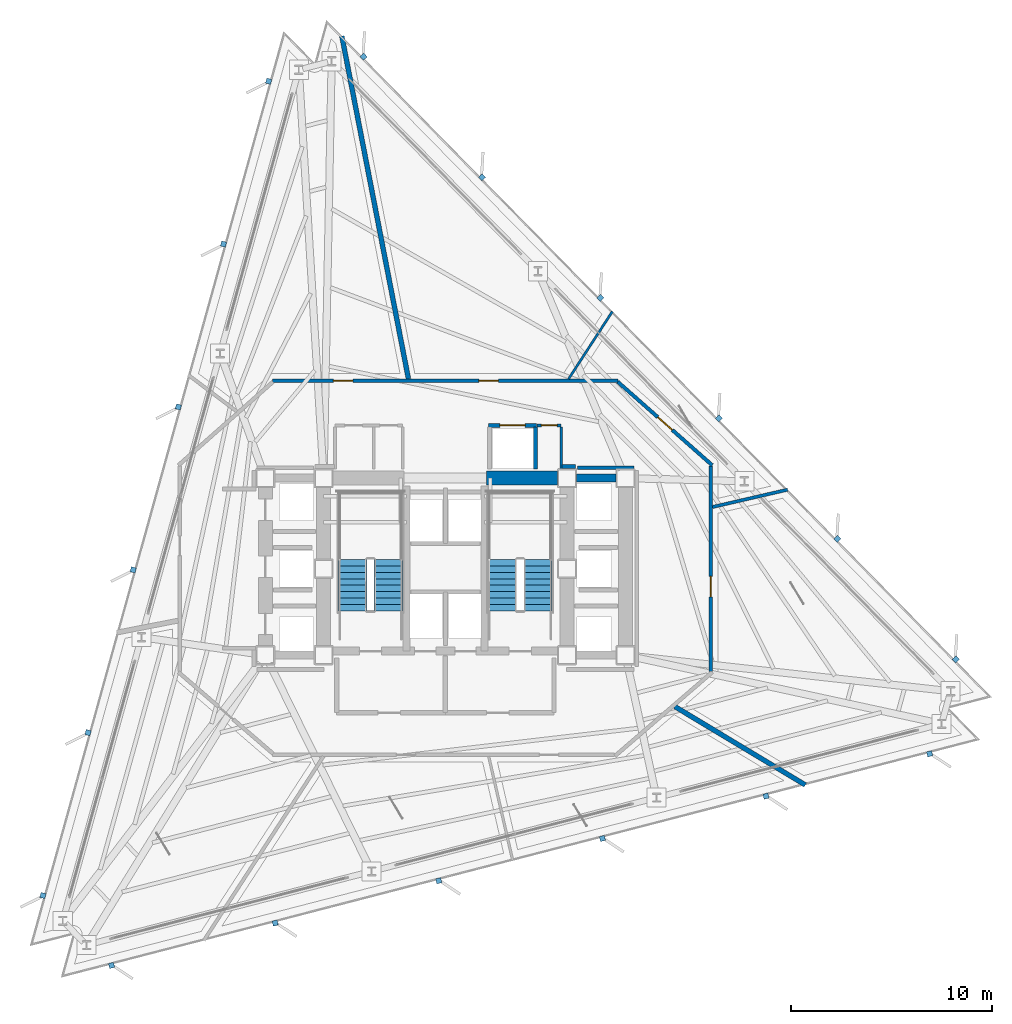
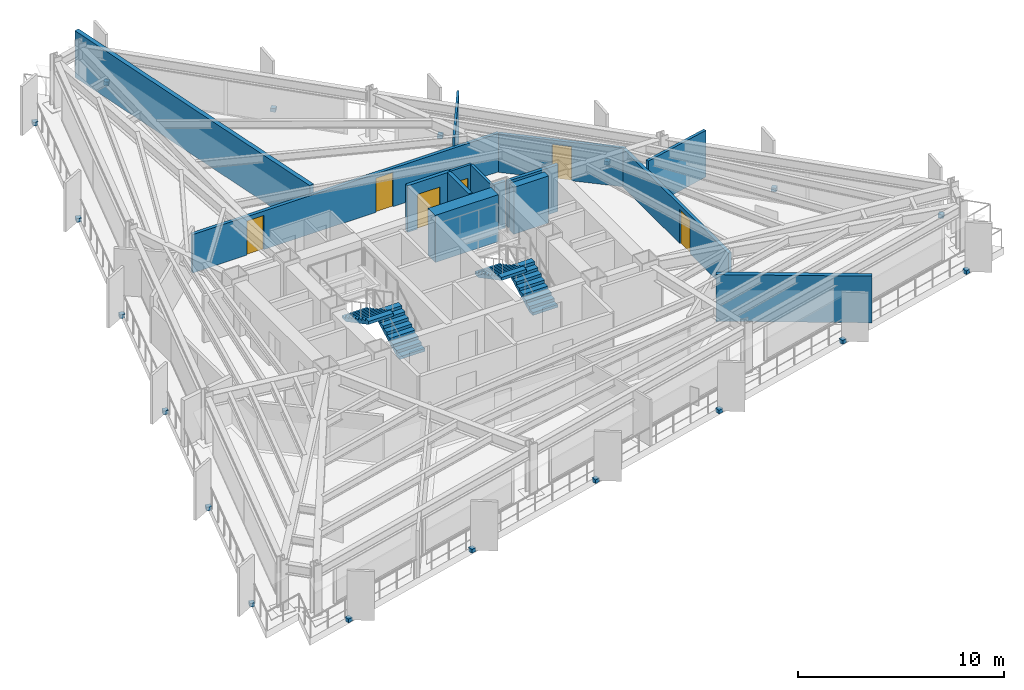
# One storey, part 8 of 11: 18 discrete accessories, 15 walls, 6 doors, 4 stair flights, 6 openings, 2 elements without a shape of their own.
"""IFC4 building model written with IfcOpenShell, lengths in metres."""

from ifc_helpers import new_model, si_unit, direction, frame, frame_2d, origin, origin_2d, place, context, subcontext, project, spatial, polyline, rectangle, outline, extrude, material, layer, layer_set, type_object, element, fill, aggregate, save


model = new_model("IFC4")

# Units and contexts
model_context = context("Model", 3, precision=1e-05, world=origin(), true_north=direction((0.0, 1.0)))
body_context = subcontext(model_context, "Body", "Model", "MODEL_VIEW")
ifc_project = project(units=[si_unit("LENGTHUNIT", "METRE"), si_unit("AREAUNIT", "SQUARE_METRE"), si_unit("VOLUMEUNIT", "CUBIC_METRE"), si_unit("PLANEANGLEUNIT", "RADIAN"), si_unit("MASSUNIT", "GRAM", prefix="KILO")], contexts=[model_context])

# Site, building, storey
site_placement = place(None, origin())
site = spatial("IfcSite", under=ifc_project, at=site_placement, CompositionType="ELEMENT")
building_placement = place(site_placement, origin())
building = spatial("IfcBuilding", under=site, at=building_placement, Name="Rocaltana Carrier Exchange", CompositionType="ELEMENT")
storey_placement = place(building_placement, frame((0.0, 0.0, 76.47998046875)))
storey = spatial("IfcBuildingStorey", under=building, at=storey_placement, Name="L23", CompositionType="ELEMENT", Elevation=76.47998046875)

# Walls
ifc_material_1 = material(Name="Double Acoustic Gypsum Partition", Category="gypsum")
ifc_layer_1 = layer(ifc_material_1, 0.159912109375)
ifc_layer_set_1 = layer_set([ifc_layer_1], Name="Double Acoustic Gypsum Partition")
wall_type_1 = type_object("IfcWallType", Name="Acoustic Studio Partition 160 EI60", PredefinedType="PARTITIONING", material=ifc_layer_set_1)
wall_1_placement = place(storey_placement, frame((13.280029296875, 3.06591796875, 0.0), z_axis=(0.0, 0.0, 1.0), x_axis=(0.974371849336, 0.224943324464, 0.0)))
element("IfcWall", 1, at=wall_1_placement, inside=storey, type_object=wall_type_1, Name="L23 Suite Divider Wall D5", PredefinedType="PARTITIONING", context=body_context, shape_type="SweptSolid", body=[
    extrude(rectangle(XDim=3.8291015625, YDim=0.159912109375, at=frame_2d((1.91455078125, 0.0))), origin(), (0.0, 0.0, 1.0), 2.762939453125),
])
ifc_material_2 = material(Name="Concrete C50/60", Category="concrete")
ifc_layer_2 = layer(ifc_material_2, 0.39990234375)
ifc_layer_set_2 = layer_set([ifc_layer_2], Name="Concrete C50/60")
wall_type_2 = type_object("IfcWallType", Name="Core Internal Shear Wall 400", PredefinedType="SHEAR", material=ifc_layer_set_2)
wall_2_placement = place(storey_placement, frame((6.52490234375, 4.5, 0.0), z_axis=(0.0, 0.0, 1.0), x_axis=(1.0, 0.0, 0.0)))
element("IfcWall", 2, at=wall_2_placement, inside=storey, type_object=wall_type_2, Name="L23 Core Shear Wall CW-EWN", PredefinedType="SHEAR", context=body_context, shape_type="SweptSolid", body=[
    extrude(rectangle(XDim=1.9501953125, YDim=0.39990234375, at=frame_2d((0.97509765625, 0.0))), origin(), (0.0, 0.0, 1.0), 2.7880859375),
])
ifc_material_3 = material(Name="Concrete C60/75", Category="concrete")
ifc_layer_3 = layer(ifc_material_3, 0.699951171875)
ifc_layer_set_3 = layer_set([ifc_layer_3], Name="Concrete C60/75")
wall_type_3 = type_object("IfcWallType", Name="Core Shear Wall 700", PredefinedType="SHEAR", material=ifc_layer_set_3)
wall_3_placement = place(storey_placement, frame((2.050048828125, 4.5, 0.0), z_axis=(0.0, 0.0, 1.0), x_axis=(1.0, 0.0, 0.0)))
element("IfcWall", 3, at=wall_3_placement, inside=storey, type_object=wall_type_3, Name="L23 Core Shear Wall CW-N2", PredefinedType="SHEAR", context=body_context, shape_type="SweptSolid", body=[
    extrude(rectangle(XDim=3.52490234375, YDim=0.699951171875, at=frame_2d((1.762451171875, 0.0))), origin(), (0.0, 0.0, 1.0), 2.7880859375),
])

# Wall, openings, doors
ifc_material_4 = material(Name="Gypsum & Steel Stud Partition", Category="steel")
ifc_layer_4 = layer(ifc_material_4, 0.179931640625)
ifc_layer_set_4 = layer_set([ifc_layer_4], Name="Gypsum & Steel Stud Partition")
wall_type_4 = type_object("IfcWallType", Name="Corridor Fire Partition 180 EI60", PredefinedType="PARTITIONING", material=ifc_layer_set_4)
wall_4_placement = place(storey_placement, frame((-8.590087890625, 9.35009765625, 0.0), z_axis=(0.0, 0.0, 1.0), x_axis=(1.0, 0.0, 0.0)))
wall_4 = element("IfcWall", 4, at=wall_4_placement, inside=storey, type_object=wall_type_4, Name="L23 Corridor Partition 1", PredefinedType="PARTITIONING", context=body_context, shape_type="SweptSolid", body=[
    extrude(rectangle(XDim=17.18017578125, YDim=0.179931640625, at=frame_2d((8.590087890625, 0.0))), origin(), (0.0, 0.0, 1.0), 2.277099609375),
])
opening_1_placement = place(wall_4_placement, frame((10.260986328125, 0.0, 0.0)))
opening_1 = element("IfcOpeningElement", 5, at=opening_1_placement, cuts=wall_4, Name="Opening D-RM098", PredefinedType="OPENING", context=body_context, shape_type="SweptSolid", body=[
    extrude(rectangle(XDim=0.9599609375, YDim=2.02001953125, at=frame_2d((0.47998046875, 1.010009765625))), frame((0.0, 0.099853515625, 0.0), z_axis=(0.0, -1.0, 0.0), x_axis=(1.0, 0.0, 0.0)), (0.0, 0.0, 1.0), 0.199951171875),
])
opening_2_placement = place(wall_4_placement, frame((3.02783203125, 0.0, 0.0)))
opening_2 = element("IfcOpeningElement", 6, at=opening_2_placement, cuts=wall_4, Name="Opening D-RM098", PredefinedType="OPENING", context=body_context, shape_type="SweptSolid", body=[
    extrude(rectangle(XDim=0.9599609375, YDim=2.02001953125, at=frame_2d((0.47998046875, 1.010009765625))), frame((0.0, 0.099853515625, 0.0), z_axis=(0.0, -1.0, 0.0), x_axis=(1.0, 0.0, 0.0)), (0.0, 0.0, 1.0), 0.199951171875),
])
ifc_material_5 = material(Name="Engineered Hardwood Timber", Category="wood")
door_type_1 = type_object("IfcDoorType", Name="Workspace Single Door 960x2020", OperationType="NOTDEFINED", PredefinedType="DOOR", material=ifc_material_5)
door_1_placement = place(opening_1_placement, origin())
door_1 = element("IfcDoor", 7, at=door_1_placement, inside=storey, type_object=door_type_1, Name="L23 Peering Conference Room Entrance Door", OperationType="SINGLE_SWING_RIGHT", OverallHeight=2.02001953125, OverallWidth=0.9599609375, PredefinedType="DOOR", context=body_context, shape_type="SweptSolid", body=[
    extrude(rectangle(XDim=0.9599609375, YDim=2.02001953125, at=frame_2d((0.47998046875, 1.010009765625))), frame((0.0, 0.02490234375, 0.0), z_axis=(0.0, -1.0, 0.0), x_axis=(1.0, 0.0, 0.0)), (0.0, 0.0, 1.0), 0.050048828125),
])
fill(opening_1, door_1)
door_2_placement = place(opening_2_placement, origin())
door_2 = element("IfcDoor", 8, at=door_2_placement, inside=storey, type_object=door_type_1, Name="L23 Quiet Focus Lounge Entrance Door", OperationType="SINGLE_SWING_LEFT", OverallHeight=2.02001953125, OverallWidth=0.9599609375, PredefinedType="DOOR", context=body_context, shape_type="SweptSolid", body=[
    extrude(rectangle(XDim=0.9599609375, YDim=2.02001953125, at=frame_2d((0.47998046875, 1.010009765625))), frame((0.0, 0.02490234375, 0.0), z_axis=(0.0, -1.0, 0.0), x_axis=(1.0, 0.0, 0.0)), (0.0, 0.0, 1.0), 0.050048828125),
])
fill(opening_2, door_2)

# Wall, opening, door
wall_5_placement = place(storey_placement, frame((8.5673828125, 9.290283203125, 0.0), z_axis=(0.0, 0.0, 1.0), x_axis=(0.749626463267, -0.66186113768, 0.0)))
wall_5 = element("IfcWall", 9, at=wall_5_placement, inside=storey, type_object=wall_type_4, Name="L23 Corridor Partition 2", PredefinedType="PARTITIONING", context=body_context, shape_type="SweptSolid", body=[
    extrude(rectangle(XDim=6.27001953125, YDim=0.179931640625, at=frame_2d((3.135009765625, 0.0))), origin(), (0.0, 0.0, 1.0), 2.277099609375),
])
opening_3_placement = place(wall_5_placement, frame((2.655029296875, 0.0, 0.0)))
opening_3 = element("IfcOpeningElement", 10, at=opening_3_placement, cuts=wall_5, Name="Opening D-RM098", PredefinedType="OPENING", context=body_context, shape_type="SweptSolid", body=[
    extrude(rectangle(XDim=0.9599609375, YDim=2.02001953125, at=frame_2d((0.47998046875, 1.010009765625))), frame((0.0, 0.099853515625, 0.0), z_axis=(0.0, -1.0, 0.0), x_axis=(1.0, 0.0, 0.0)), (0.0, 0.0, 1.0), 0.199951171875),
])
door_3_placement = place(opening_3_placement, origin())
door_3 = element("IfcDoor", 11, at=door_3_placement, inside=storey, type_object=door_type_1, Name="L23 Executive Peering Boardroom Entrance Door", OperationType="SINGLE_SWING_LEFT", OverallHeight=2.02001953125, OverallWidth=0.9599609375, PredefinedType="DOOR", context=body_context, shape_type="SweptSolid", body=[
    extrude(rectangle(XDim=0.9599609375, YDim=2.02001953125, at=frame_2d((0.47998046875, 1.010009765625))), frame((0.0, 0.02490234375, 0.0), z_axis=(0.0, -1.0, 0.0), x_axis=(1.0, 0.0, 0.0)), (0.0, 0.0, 1.0), 0.050048828125),
])
fill(opening_3, door_3)

wall_6_placement = place(storey_placement, frame((13.199951171875, 5.110107421875, 0.0), z_axis=(0.0, 0.0, 1.0), x_axis=(0.0, -1.0, 0.0)))
wall_6 = element("IfcWall", 12, at=wall_6_placement, inside=storey, type_object=wall_type_4, Name="L23 Corridor Partition 3", PredefinedType="PARTITIONING", context=body_context, shape_type="SweptSolid", body=[
    extrude(rectangle(XDim=10.22021484375, YDim=0.179931640625, at=frame_2d((5.110107421875, 0.0))), origin(), (0.0, 0.0, 1.0), 2.277099609375),
])
opening_4_placement = place(wall_6_placement, frame((5.492919921875, 0.0, 0.0)))
opening_4 = element("IfcOpeningElement", 13, at=opening_4_placement, cuts=wall_6, Name="Opening D-LB104", PredefinedType="OPENING", context=body_context, shape_type="SweptSolid", body=[
    extrude(rectangle(XDim=1.02001953125, YDim=2.02001953125, at=frame_2d((0.510009765625, 1.010009765625))), frame((0.0, 0.099853515625, 0.0), z_axis=(0.0, -1.0, 0.0), x_axis=(1.0, 0.0, 0.0)), (0.0, 0.0, 1.0), 0.199951171875),
])
ifc_material_6 = material(Name="Powder-Coated Aluminium 6063-T6", Category="aluminium")
door_type_2 = type_object("IfcDoorType", Name="Laboratory Acoustic Door 1020x2020", OperationType="NOTDEFINED", PredefinedType="DOOR", material=ifc_material_6)
door_4_placement = place(opening_4_placement, origin())
door_4 = element("IfcDoor", 14, at=door_4_placement, inside=storey, type_object=door_type_2, Name="L23 Optical Switching Laboratory Entrance Door", OperationType="SINGLE_SWING_RIGHT", OverallHeight=2.02001953125, OverallWidth=1.02001953125, PredefinedType="DOOR", context=body_context, shape_type="SweptSolid", body=[
    extrude(rectangle(XDim=1.02001953125, YDim=2.02001953125, at=frame_2d((0.510009765625, 1.010009765625))), frame((0.0, 0.02490234375, 0.0), z_axis=(0.0, -1.0, 0.0), x_axis=(1.0, 0.0, 0.0)), (0.0, 0.0, 1.0), 0.050048828125),
])
fill(opening_4, door_4)

# Walls
wall_7_placement = place(storey_placement, frame((9.3701171875, 5.010009765625, 0.0), z_axis=(0.0, 0.0, 1.0), x_axis=(-1.0, 0.0, 0.0)))
element("IfcWall", 15, at=wall_7_placement, inside=storey, type_object=wall_type_4, Name="L23 Corridor Partition 18", PredefinedType="PARTITIONING", context=body_context, shape_type="SweptSolid", body=[
    extrude(rectangle(XDim=2.807861328125, YDim=0.179931640625, at=frame_2d((1.40380859375, 0.0))), origin(), (0.0, 0.0, 1.0), 2.762939453125),
])
wall_8_placement = place(storey_placement, frame((6.469970703125, 5.080078125, 0.0), z_axis=(0.0, 0.0, 1.0), x_axis=(-1.0, 0.0, 0.0)))
element("IfcWall", 16, at=wall_8_placement, inside=storey, type_object=wall_type_4, Name="L23 Corridor Partition 19", PredefinedType="PARTITIONING", context=body_context, shape_type="SweptSolid", body=[
    extrude(rectangle(XDim=0.679931640625, YDim=0.179931640625, at=frame_2d((0.33984375, 0.0))), origin(), (0.0, 0.0, 1.0), 2.762939453125),
])
ifc_material_7 = material(Name="Aluminium 6063-T6 & Acoustic Glass", Category="aluminium")
ifc_layer_5 = layer(ifc_material_7, 0.114990234375)
ifc_layer_set_5 = layer_set([ifc_layer_5], Name="Aluminium 6063-T6 & Acoustic Glass")
wall_type_5 = type_object("IfcWallType", Name="Demountable Glazed Lab Partition 115", PredefinedType="MOVABLE", material=ifc_layer_set_5)
wall_9_placement = place(storey_placement, frame((6.123779296875, 9.429931640625, 0.0), z_axis=(0.0, 0.0, 1.0), x_axis=(0.544653909872, 0.838660907912, 0.0)))
element("IfcWall", 17, at=wall_9_placement, inside=storey, type_object=wall_type_5, Name="L23 Suite Divider Wall D6", PredefinedType="MOVABLE", context=body_context, shape_type="SweptSolid", body=[
    extrude(rectangle(XDim=4.00341796875, YDim=0.114990234375, at=frame_2d((2.001708984375, 0.0))), origin(), (0.0, 0.0, 1.0), 2.762939453125),
])
ifc_material_8 = material(Name="Acoustic Calcium Silicate Partition", Category="gypsum")
ifc_layer_6 = layer(ifc_material_8, 0.239990234375)
ifc_layer_set_6 = layer_set([ifc_layer_6], Name="Acoustic Calcium Silicate Partition")
wall_type_6 = type_object("IfcWallType", Name="Heavy Lab Partition 240 EI90", PredefinedType="PARTITIONING", material=ifc_layer_set_6)
wall_10_placement = place(storey_placement, frame((11.40478515625, -6.8525390625, 0.0), z_axis=(0.0, 0.0, 1.0), x_axis=(0.857165278127, -0.515041441025, 0.0)))
element("IfcWall", 18, at=wall_10_placement, inside=storey, type_object=wall_type_6, Name="L23 Suite Divider Wall D4", PredefinedType="PARTITIONING", context=body_context, shape_type="SweptSolid", body=[
    extrude(rectangle(XDim=7.56494140625, YDim=0.239990234375, at=frame_2d((3.782470703125, 0.0))), origin(), (0.0, 0.0, 1.0), 2.762939453125),
])
wall_11_placement = place(storey_placement, frame((-1.8330078125, 9.429931640625, 0.0), z_axis=(0.0, 0.0, 1.0), x_axis=(-0.190802669454, 0.981628413061, 0.0)))
element("IfcWall", 19, at=wall_11_placement, inside=storey, type_object=wall_type_6, Name="L23 Suite Divider Wall D7", PredefinedType="PARTITIONING", context=body_context, shape_type="SweptSolid", body=[
    extrude(rectangle(XDim=17.363525390625, YDim=0.239990234375, at=frame_2d((8.681640625, 0.0))), origin(), (0.0, 0.0, 1.0), 2.762939453125),
])
ifc_material_9 = material(Name="Reinforced Concrete Block C35/45", Category="concrete")
ifc_layer_7 = layer(ifc_material_9, 0.199951171875)
ifc_layer_set_7 = layer_set([ifc_layer_7], Name="Reinforced Concrete Block C35/45")
wall_type_7 = type_object("IfcWallType", Name="Lift Hoistway Enclosure Wall 200 EI120", PredefinedType="PARTITIONING", material=ifc_layer_set_7)
wall_12_placement = place(storey_placement, frame((4.47998046875, 4.949951171875, 0.0), z_axis=(0.0, 0.0, 1.0), x_axis=(0.0, 1.0, 0.0)))
element("IfcWall", 20, at=wall_12_placement, inside=storey, type_object=wall_type_7, Name="L23 Goods Lift East Wall", PredefinedType="PARTITIONING", context=body_context, shape_type="SweptSolid", body=[
    extrude(rectangle(XDim=2.10009765625, YDim=0.199951171875, at=frame_2d((1.050048828125, 0.0))), origin(), (0.0, 0.0, 1.0), 2.762939453125),
])

# Wall, opening, door
wall_13_placement = place(storey_placement, frame((2.14990234375, 7.1201171875, 0.0), z_axis=(0.0, 0.0, 1.0), x_axis=(1.0, 0.0, 0.0)))
wall_13 = element("IfcWall", 21, at=wall_13_placement, inside=storey, type_object=wall_type_7, Name="L23 Goods Lift Front Wall", PredefinedType="PARTITIONING", context=body_context, shape_type="SweptSolid", body=[
    extrude(rectangle(XDim=2.380126953125, YDim=0.199951171875, at=frame_2d((1.18994140625, 0.0))), origin(), (0.0, 0.0, 1.0), 2.762939453125),
])
opening_5_placement = place(wall_13_placement, frame((0.56005859375, 0.0, 0.0)))
opening_5 = element("IfcOpeningElement", 22, at=opening_5_placement, cuts=wall_13, Name="Opening LD-130", PredefinedType="OPENING", context=body_context, shape_type="SweptSolid", body=[
    extrude(rectangle(XDim=1.260009765625, YDim=2.06005859375, at=frame_2d((0.6298828125, 1.030029296875))), frame((0.0, 0.10986328125, 0.0), z_axis=(0.0, -1.0, 0.0), x_axis=(1.0, 0.0, 0.0)), (0.0, 0.0, 1.0), 0.219970703125),
])
ifc_material_10 = material(Name="Brushed Stainless Sliding Door Leaf", Category="steel")
door_type_3 = type_object("IfcDoorType", Name="Goods Lift Landing Sliding Door 1260x2060", OperationType="NOTDEFINED", PredefinedType="DOOR", material=ifc_material_10)
door_5_placement = place(opening_5_placement, origin())
door_5 = element("IfcDoor", 23, at=door_5_placement, inside=storey, type_object=door_type_3, Name="L23 Goods Lift GL-1 Landing Door", OperationType="SLIDING_TO_LEFT", OverallHeight=2.06005859375, OverallWidth=1.260009765625, PredefinedType="DOOR", context=body_context, shape_type="SweptSolid", body=[
    extrude(rectangle(XDim=1.260009765625, YDim=2.06005859375, at=frame_2d((0.6298828125, 1.030029296875))), frame((0.0, 0.02490234375, 0.0), z_axis=(0.0, -1.0, 0.0), x_axis=(1.0, 0.0, 0.0)), (0.0, 0.0, 1.0), 0.050048828125),
])
fill(opening_5, door_5)

# Wall
ifc_material_11 = material(Name="Moisture-Resistant Masonry C30/37", Category="masonry")
ifc_layer_8 = layer(ifc_material_11, 0.139892578125)
ifc_layer_set_8 = layer_set([ifc_layer_8], Name="Moisture-Resistant Masonry C30/37")
wall_type_8 = type_object("IfcWallType", Name="Wet-Area Sanitary Partition 140", PredefinedType="PARTITIONING", material=ifc_layer_set_8)
wall_14_placement = place(storey_placement, frame((5.760009765625, 4.949951171875, 0.0), z_axis=(0.0, 0.0, 1.0), x_axis=(0.0, 1.0, 0.0)))
element("IfcWall", 24, at=wall_14_placement, inside=storey, type_object=wall_type_8, Name="L23 Riser East Wall", PredefinedType="PARTITIONING", context=body_context, shape_type="SweptSolid", body=[
    extrude(rectangle(XDim=2.10009765625, YDim=0.139892578125, at=frame_2d((1.050048828125, 0.0))), origin(), (0.0, 0.0, 1.0), 2.762939453125),
])

# Wall, opening, door
wall_15_placement = place(storey_placement, frame((4.56005859375, 7.1201171875, 0.0), z_axis=(0.0, 0.0, 1.0), x_axis=(1.0, 0.0, 0.0)))
wall_15 = element("IfcWall", 25, at=wall_15_placement, inside=storey, type_object=wall_type_8, Name="L23 Riser North Wall", PredefinedType="PARTITIONING", context=body_context, shape_type="SweptSolid", body=[
    extrude(rectangle(XDim=1.199951171875, YDim=0.139892578125, at=frame_2d((0.60009765625, 0.0))), origin(), (0.0, 0.0, 1.0), 2.762939453125),
])
opening_6_placement = place(wall_15_placement, frame((0.2099609375, 0.0, 0.0)))
opening_6 = element("IfcOpeningElement", 26, at=opening_6_placement, cuts=wall_15, Name="Opening D-RS082", PredefinedType="OPENING", context=body_context, shape_type="SweptSolid", body=[
    extrude(rectangle(XDim=0.780029296875, YDim=2.010009765625, at=frame_2d((0.39013671875, 1.0048828125))), frame((0.0, 0.079833984375, 0.0), z_axis=(0.0, -1.0, 0.0), x_axis=(1.0, 0.0, 0.0)), (0.0, 0.0, 1.0), 0.159912109375),
])
ifc_material_12 = material(Name="Hollow Metal Access Door Leaf", Category="steel")
door_type_4 = type_object("IfcDoorType", Name="Riser & Service Closet Door 780x2010", OperationType="NOTDEFINED", PredefinedType="DOOR", material=ifc_material_12)
door_6_placement = place(opening_6_placement, origin())
door_6 = element("IfcDoor", 27, at=door_6_placement, inside=storey, type_object=door_type_4, Name="L23 Fibre Riser Closet Door", OperationType="SINGLE_SWING_RIGHT", OverallHeight=2.010009765625, OverallWidth=0.780029296875, PredefinedType="DOOR", context=body_context, shape_type="SweptSolid", body=[
    extrude(rectangle(XDim=0.780029296875, YDim=2.010009765625, at=frame_2d((0.39013671875, 1.0048828125))), frame((0.0, 0.02490234375, 0.0), z_axis=(0.0, -1.0, 0.0), x_axis=(1.0, 0.0, 0.0)), (0.0, 0.0, 1.0), 0.050048828125),
])
fill(opening_6, door_6)

# Stair, stair flights
ifc_material_13 = material(Name="Precast concrete C45/55", Category="concrete")
stair_type = type_object("IfcStairType", Name="Standard Dog-Leg Stair 160", PredefinedType="HALF_TURN_STAIR", material=ifc_material_13)
stair_1_placement = place(storey_placement, origin())
stair_1 = element("IfcStair", 28, at=stair_1_placement, inside=storey, type_object=stair_type, Name="L23 Core West Exit Stair ST-1", PredefinedType="HALF_TURN_STAIR")
ifc_material_14 = material(Name="Precast concrete C45/55", Category="concrete")
stair_flight_type = type_object("IfcStairFlightType", Name="Precast Stair Flight 160", PredefinedType="STRAIGHT", material=ifc_material_14)
stair_flight_1_placement = place(storey_placement, frame((-2.840087890625, -2.10009765625, 0.0), z_axis=(0.0, 0.0, 1.0), x_axis=(0.0, 1.0, 0.0)))
stair_flight_1 = element("IfcStairFlight", 29, at=stair_flight_1_placement, type_object=stair_flight_type, Name="ST-1 flight 1", NumberOfRisers=9, NumberOfTreads=8, PredefinedType="STRAIGHT", RiserHeight=0.168888889, TreadLength=0.32, context=body_context, shape_type="SweptSolid", body=[
    extrude(outline(polyline([(0.0, 0.0), (0.0, 0.1689453125), (0.320068359375, 0.1689453125), (0.320068359375, 0.337890625), (0.639892578125, 0.337890625), (0.639892578125, 0.506591796875), (0.9599609375, 0.506591796875), (0.9599609375, 0.675537109375), (1.280029296875, 0.675537109375), (1.280029296875, 0.844482421875), (1.60009765625, 0.844482421875), (1.60009765625, 1.013427734375), (1.919921875, 1.013427734375), (1.919921875, 1.18212890625), (2.239990234375, 1.18212890625), (2.239990234375, 1.35107421875), (2.56005859375, 1.35107421875), (2.56005859375, 1.52001953125), (2.56005859375, 1.17041015625), (0.342529296875, 0.0), (0.0, 0.0)])), frame((0.0, 0.699951171875, 0.0), z_axis=(0.0, -1.0, 0.0), x_axis=(1.0, 0.0, 0.0)), (0.0, 0.0, 1.0), 1.39990234375),
])
stair_flight_2_placement = place(storey_placement, frame((-4.60009765625, 0.4599609375, 1.52001953125), z_axis=(0.0, 0.0, 1.0), x_axis=(0.0, -1.0, 0.0)))
stair_flight_2 = element("IfcStairFlight", 30, at=stair_flight_2_placement, type_object=stair_flight_type, Name="ST-1 flight 2", NumberOfRisers=9, NumberOfTreads=8, PredefinedType="STRAIGHT", RiserHeight=0.168888889, TreadLength=0.32, context=body_context, shape_type="SweptSolid", body=[
    extrude(outline(polyline([(0.0, 0.0), (0.0, 0.1689453125), (0.320068359375, 0.1689453125), (0.320068359375, 0.337890625), (0.639892578125, 0.337890625), (0.639892578125, 0.506591796875), (0.9599609375, 0.506591796875), (0.9599609375, 0.675537109375), (1.280029296875, 0.675537109375), (1.280029296875, 0.844482421875), (1.60009765625, 0.844482421875), (1.60009765625, 1.013427734375), (1.919921875, 1.013427734375), (1.919921875, 1.18212890625), (2.239990234375, 1.18212890625), (2.239990234375, 1.35107421875), (2.56005859375, 1.35107421875), (2.56005859375, 1.52001953125), (2.56005859375, 1.17041015625), (0.342529296875, 0.0), (0.0, 0.0)])), frame((0.0, 0.699951171875, 0.0), z_axis=(0.0, -1.0, 0.0), x_axis=(1.0, 0.0, 0.0)), (0.0, 0.0, 1.0), 1.39990234375),
])
aggregate(stair_1, [stair_flight_1, stair_flight_2])

stair_2_placement = place(storey_placement, origin())
stair_2 = element("IfcStair", 31, at=stair_2_placement, inside=storey, type_object=stair_type, Name="L23 Core East Exit Stair ST-2", PredefinedType="HALF_TURN_STAIR")
stair_flight_3_placement = place(storey_placement, frame((4.60009765625, -2.10009765625, 0.0), z_axis=(0.0, 0.0, 1.0), x_axis=(0.0, 1.0, 0.0)))
stair_flight_3 = element("IfcStairFlight", 32, at=stair_flight_3_placement, type_object=stair_flight_type, Name="ST-2 flight 1", NumberOfRisers=9, NumberOfTreads=8, PredefinedType="STRAIGHT", RiserHeight=0.168888889, TreadLength=0.32, context=body_context, shape_type="SweptSolid", body=[
    extrude(outline(polyline([(0.0, 0.0), (0.0, 0.1689453125), (0.320068359375, 0.1689453125), (0.320068359375, 0.337890625), (0.639892578125, 0.337890625), (0.639892578125, 0.506591796875), (0.9599609375, 0.506591796875), (0.9599609375, 0.675537109375), (1.280029296875, 0.675537109375), (1.280029296875, 0.844482421875), (1.60009765625, 0.844482421875), (1.60009765625, 1.013427734375), (1.919921875, 1.013427734375), (1.919921875, 1.18212890625), (2.239990234375, 1.18212890625), (2.239990234375, 1.35107421875), (2.56005859375, 1.35107421875), (2.56005859375, 1.52001953125), (2.56005859375, 1.17041015625), (0.342529296875, 0.0), (0.0, 0.0)])), frame((0.0, 0.699951171875, 0.0), z_axis=(0.0, -1.0, 0.0), x_axis=(1.0, 0.0, 0.0)), (0.0, 0.0, 1.0), 1.39990234375),
])
stair_flight_4_placement = place(storey_placement, frame((2.840087890625, 0.4599609375, 1.52001953125), z_axis=(0.0, 0.0, 1.0), x_axis=(0.0, -1.0, 0.0)))
stair_flight_4 = element("IfcStairFlight", 33, at=stair_flight_4_placement, type_object=stair_flight_type, Name="ST-2 flight 2", NumberOfRisers=9, NumberOfTreads=8, PredefinedType="STRAIGHT", RiserHeight=0.168888889, TreadLength=0.32, context=body_context, shape_type="SweptSolid", body=[
    extrude(outline(polyline([(0.0, 0.0), (0.0, 0.1689453125), (0.320068359375, 0.1689453125), (0.320068359375, 0.337890625), (0.639892578125, 0.337890625), (0.639892578125, 0.506591796875), (0.9599609375, 0.506591796875), (0.9599609375, 0.675537109375), (1.280029296875, 0.675537109375), (1.280029296875, 0.844482421875), (1.60009765625, 0.844482421875), (1.60009765625, 1.013427734375), (1.919921875, 1.013427734375), (1.919921875, 1.18212890625), (2.239990234375, 1.18212890625), (2.239990234375, 1.35107421875), (2.56005859375, 1.35107421875), (2.56005859375, 1.52001953125), (2.56005859375, 1.17041015625), (0.342529296875, 0.0), (0.0, 0.0)])), frame((0.0, 0.699951171875, 0.0), z_axis=(0.0, -1.0, 0.0), x_axis=(1.0, 0.0, 0.0)), (0.0, 0.0, 1.0), 1.39990234375),
])
aggregate(stair_2, [stair_flight_3, stair_flight_4])

# Discrete accessories
ifc_material_15 = material(Name="Brushed Architectural Stainless Metal", Category="steel")
ifc_layer_9 = layer(ifc_material_15, 0.219970703125)
ifc_layer_set_9 = layer_set([ifc_layer_9], Name="Brushed Architectural Stainless Metal")
discrete_accessory_type = type_object("IfcDiscreteAccessoryType", Name="Stainless Fin Slab-Edge Bracket 260x260x220", PredefinedType="BRACKET", material=ifc_layer_set_9)
for number, where, z_axis, x_axis, name in (
    (34, (25.371826171875, -4.509765625, -0.2099609375), (0.0, 0.0, 1.0), (-0.7009092643, 0.713250449154, 0.0), "L23 Sandstone Fin Edge Bracket F1-01"),
    (35, (19.484375, 1.481689453125, -0.2099609375), (0.0, 0.0, 1.0), (-0.7009092643, 0.713250449154, 0.0), "L23 Sandstone Fin Edge Bracket F1-02"),
    (36, (13.5966796875, 7.472900390625, -0.2099609375), (0.0, 0.0, 1.0), (-0.7009092643, 0.713250449154, 0.0), "L23 Sandstone Fin Edge Bracket F1-03"),
    (37, (7.708984375, 13.464111328125, -0.2099609375), (0.0, 0.0, 1.0), (-0.7009092643, 0.713250449154, 0.0), "L23 Sandstone Fin Edge Bracket F1-04"),
    (38, (1.8212890625, 19.45556640625, -0.2099609375), (0.0, 0.0, 1.0), (-0.7009092643, 0.713250449154, 0.0), "L23 Sandstone Fin Edge Bracket F1-05"),
    (39, (-4.066162109375, 25.44677734375, -0.2099609375), (0.0, 0.0, 1.0), (-0.7009092643, 0.713250449154, 0.0), "L23 Sandstone Fin Edge Bracket F1-06"),
    (40, (-8.780517578125, 24.2275390625, -0.2099609375), (0.0, 0.0, 1.0), (-0.267238376078, -0.963630453209, 0.0), "L23 Sandstone Fin Edge Bracket F2-01"),
    (41, (-11.025146484375, 16.133056640625, -0.2099609375), (0.0, 0.0, 1.0), (-0.267238376078, -0.963630453209, 0.0), "L23 Sandstone Fin Edge Bracket F2-02"),
    (42, (-13.27001953125, 8.03857421875, -0.2099609375), (0.0, 0.0, 1.0), (-0.267238376078, -0.963630453209, 0.0), "L23 Sandstone Fin Edge Bracket F2-03"),
    (43, (-15.514892578125, -0.055908203125, -0.2099609375), (0.0, 0.0, 1.0), (-0.267238376078, -0.963630453209, 0.0), "L23 Sandstone Fin Edge Bracket F2-04"),
    (44, (-17.759521484375, -8.150390625, -0.2099609375), (0.0, 0.0, 1.0), (-0.267238376078, -0.963630453209, 0.0), "L23 Sandstone Fin Edge Bracket F2-05"),
    (45, (-20.00439453125, -16.244873046875, -0.2099609375), (0.0, 0.0, 1.0), (-0.267238376078, -0.963630453209, 0.0), "L23 Sandstone Fin Edge Bracket F2-06"),
    (46, (-16.591552734375, -19.718017578125, -0.2099609375), (0.0, 0.0, 1.0), (0.968147640378, 0.250380004054, 0.0), "L23 Sandstone Fin Edge Bracket F3-01"),
    (47, (-8.458984375, -17.61474609375, -0.2099609375), (0.0, 0.0, 1.0), (0.968147640378, 0.250380004054, 0.0), "L23 Sandstone Fin Edge Bracket F3-02"),
    (48, (-0.32666015625, -15.511474609375, -0.2099609375), (0.0, 0.0, 1.0), (0.968147640378, 0.250380004054, 0.0), "L23 Sandstone Fin Edge Bracket F3-03"),
    (49, (7.805908203125, -13.408203125, -0.2099609375), (0.0, 0.0, 1.0), (0.968147640378, 0.250380004054, 0.0), "L23 Sandstone Fin Edge Bracket F3-04"),
    (50, (15.938232421875, -11.30517578125, -0.2099609375), (0.0, 0.0, 1.0), (0.968147640378, 0.250380004054, 0.0), "L23 Sandstone Fin Edge Bracket F3-05"),
    (51, (24.07080078125, -9.201904296875, -0.2099609375), (0.0, 0.0, 1.0), (0.968147640378, 0.250380004054, 0.0), "L23 Sandstone Fin Edge Bracket F3-06"),
):
    element("IfcDiscreteAccessory", number, at=place(storey_placement, frame(where, z_axis=z_axis, x_axis=x_axis)), inside=storey, type_object=discrete_accessory_type, Name=name, PredefinedType="BRACKET", context=body_context, shape_type="SweptSolid", body=[
        extrude(rectangle(XDim=0.260009765625, YDim=0.260009765625, at=origin_2d()), origin(), (0.0, 0.0, 1.0), 0.219970703125),
    ])

save(model, "model.ifc")
